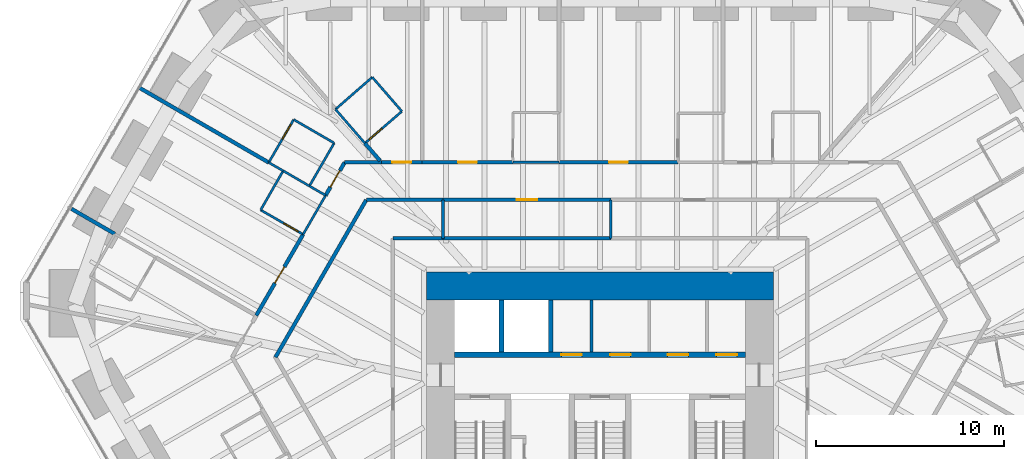
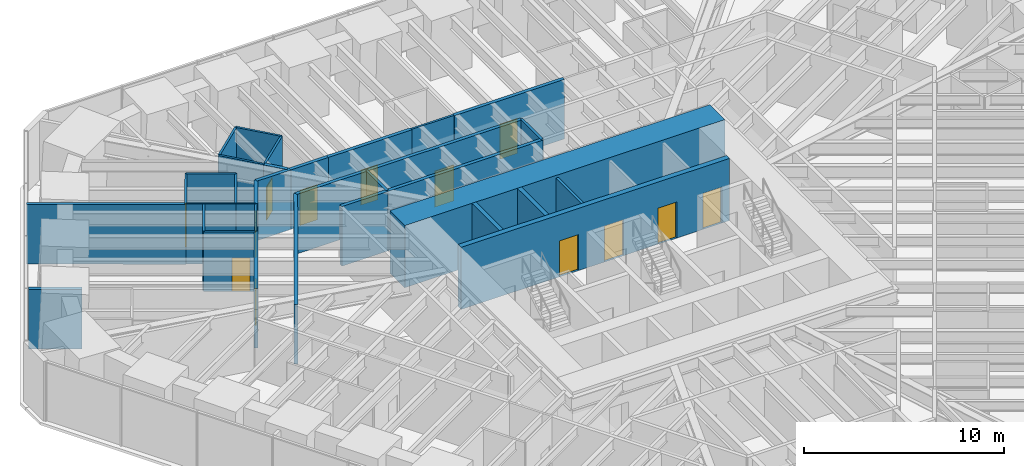
# One storey, part 14 of 17: 35 walls, 13 doors, 13 openings.
"""IFC4 building model written with IfcOpenShell, lengths in metres."""

from ifc_helpers import new_model, si_unit, direction, frame, frame_2d, origin, place, context, subcontext, project, spatial, rectangle, extrude, material, layer, layer_set, type_object, element, fill, save


model = new_model("IFC4")

# Units and contexts
model_context = context("Model", 3, precision=1e-05, world=origin(), true_north=direction((0.0, 1.0)))
body_context = subcontext(model_context, "Body", "Model", "MODEL_VIEW")
ifc_project = project(units=[si_unit("LENGTHUNIT", "METRE"), si_unit("AREAUNIT", "SQUARE_METRE"), si_unit("VOLUMEUNIT", "CUBIC_METRE"), si_unit("PLANEANGLEUNIT", "RADIAN"), si_unit("MASSUNIT", "GRAM", prefix="KILO")], contexts=[model_context])

# Site, building, storey
site_placement = place(None, origin())
site = spatial("IfcSite", under=ifc_project, at=site_placement, CompositionType="ELEMENT")
building_placement = place(site_placement, origin())
building = spatial("IfcBuilding", under=site, at=building_placement, Name="Sandreach Pilgrim Tower", CompositionType="ELEMENT")
storey_placement = place(building_placement, frame((0.0, 0.0, 68.60009765625)))
storey = spatial("IfcBuildingStorey", under=building, at=storey_placement, Name="L16", CompositionType="ELEMENT", Elevation=68.60009765625)

# Walls
ifc_material_1 = material(Name="Gypsum board on steel studs", Category="steel")
ifc_layer_1 = layer(ifc_material_1, 0.14990234375)
ifc_layer_set_1 = layer_set([ifc_layer_1], Name="Back of house wall 150")
wall_type_1 = type_object("IfcWallType", Name="Back of house wall 150", PredefinedType="PARTITIONING", material=ifc_layer_set_1)
for number, where, z_axis, x_axis, name in (
    (1, (-8.360107421875, 11.449951171875, 0.0), (0.0, 0.0, 1.0), (0.0, -1.0, 0.0), "Back of house wall L16-057"),
    (2, (0.580078125, 11.449951171875, 0.0), (0.0, 0.0, 1.0), (0.0, -1.0, 0.0), "Back of house wall L16-090"),
):
    element("IfcWall", number, at=place(storey_placement, frame(where, z_axis=z_axis, x_axis=x_axis)), inside=storey, type_object=wall_type_1, Name=name, PredefinedType="PARTITIONING", context=body_context, shape_type="SweptSolid", body=[
        extrude(rectangle(XDim=2.050048828125, YDim=0.14990234375, at=frame_2d((1.02490234375, 0.0))), origin(), (0.0, 0.0, 1.0), 3.639892578125),
    ])
wall_1_placement = place(storey_placement, frame((-0.449951171875, 3.35009765625, 0.0), z_axis=(0.0, 0.0, 1.0), x_axis=(0.0, 1.0, 0.0)))
element("IfcWall", 3, at=wall_1_placement, inside=storey, type_object=wall_type_1, Name="Core room partition L16 1", PredefinedType="PARTITIONING", context=body_context, shape_type="SweptSolid", body=[
    extrude(rectangle(XDim=2.75, YDim=0.14990234375, at=frame_2d((1.375, 0.0))), origin(), (0.0, 0.0, 1.0), 3.639892578125),
])

# Wall, opening, door
ifc_material_2 = material(Name="Moisture-resistant gypsum board on steel studs", Category="steel")
ifc_layer_2 = layer(ifc_material_2, 0.1201171875)
ifc_layer_set_2 = layer_set([ifc_layer_2], Name="Bathroom partition 120")
wall_type_2 = type_object("IfcWallType", Name="Bathroom partition 120", PredefinedType="PARTITIONING", material=ifc_layer_set_2)
wall_2_placement = place(storey_placement, frame((-18.090087890625, 10.909912109375, 0.0), z_axis=(0.0, 0.0, 1.0), x_axis=(0.866856728041, -0.498557331759, 0.0)))
wall_2 = element("IfcWall", 4, at=wall_2_placement, inside=storey, type_object=wall_type_2, Name="Bathroom partition L16-020", PredefinedType="PARTITIONING", context=body_context, shape_type="SweptSolid", body=[
    extrude(rectangle(XDim=2.607177734375, YDim=0.1201171875, at=frame_2d((1.3037109375, 0.0))), origin(), (0.0, 0.0, 1.0), 3.639892578125),
])
opening_1_placement = place(wall_2_placement, frame((1.4072265625, 0.0, 0.0)))
opening_1 = element("IfcOpeningElement", 5, at=opening_1_placement, cuts=wall_2, Name="Opening D09-19B", PredefinedType="OPENING", context=body_context, shape_type="SweptSolid", body=[
    extrude(rectangle(XDim=0.89990234375, YDim=2.030029296875, at=frame_2d((0.449951171875, 1.01513671875))), frame((0.0, 0.06005859375, 0.0), z_axis=(0.0, -1.0, 0.0), x_axis=(1.0, 0.0, 0.0)), (0.0, 0.0, 1.0), 0.1201171875),
])
ifc_material_3 = material(Name="Timber door, steel frame", Category="steel")
door_type_1 = type_object("IfcDoorType", Name="Bathroom door", OperationType="SINGLE_SWING_LEFT", PredefinedType="DOOR", material=ifc_material_3)
door_1_placement = place(opening_1_placement, origin())
door_1 = element("IfcDoor", 6, at=door_1_placement, inside=storey, type_object=door_type_1, Name="Door 1619B", OperationType="SINGLE_SWING_RIGHT", OverallHeight=2.030029296875, OverallWidth=0.89990234375, PredefinedType="DOOR", context=body_context, shape_type="SweptSolid", body=[
    extrude(rectangle(XDim=0.89990234375, YDim=2.030029296875, at=frame_2d((0.449951171875, 1.01513671875))), frame((0.0, 0.02490234375, 0.0), z_axis=(0.0, -1.0, 0.0), x_axis=(1.0, 0.0, 0.0)), (0.0, 0.0, 1.0), 0.050048828125),
])
fill(opening_1, door_1)

# Walls
wall_3_placement = place(storey_placement, frame((-17.659912109375, 13.43994140625, 0.0), z_axis=(0.0, 0.0, 1.0), x_axis=(0.86820924967, -0.49619824545, 0.0)))
element("IfcWall", 7, at=wall_3_placement, inside=storey, type_object=wall_type_2, Name="Bathroom partition L16-022", PredefinedType="PARTITIONING", context=body_context, shape_type="SweptSolid", body=[
    extrude(rectangle(XDim=0.88671875, YDim=0.1201171875, at=frame_2d((0.443359375, 0.0))), origin(), (0.0, 0.0, 1.0), 3.639892578125),
])
wall_4_placement = place(storey_placement, frame((-16.889892578125, 13.0, 0.0), z_axis=(0.0, 0.0, 1.0), x_axis=(-0.497970509195, -0.867193964446, 0.0)))
element("IfcWall", 8, at=wall_4_placement, inside=storey, type_object=wall_type_2, Name="Bathroom partition L16-024", PredefinedType="PARTITIONING", context=body_context, shape_type="SweptSolid", body=[
    extrude(rectangle(XDim=2.41015625, YDim=0.1201171875, at=frame_2d((1.205078125, 0.0))), origin(), (0.0, 0.0, 1.0), 3.639892578125),
])
wall_5_placement = place(storey_placement, frame((-16.889892578125, 13.0, 0.0), z_axis=(0.0, 0.0, 1.0), x_axis=(0.864822777425, -0.502077248685, 0.0)))
element("IfcWall", 9, at=wall_5_placement, inside=storey, type_object=wall_type_2, Name="Bathroom partition L16-025", PredefinedType="PARTITIONING", context=body_context, shape_type="SweptSolid", body=[
    extrude(rectangle(XDim=1.6171875, YDim=0.1201171875, at=frame_2d((0.80859375, 0.0))), origin(), (0.0, 0.0, 1.0), 3.639892578125),
])

# Wall, opening, door
wall_6_placement = place(storey_placement, frame((-16.330078125, 15.72998046875, 0.0), z_axis=(0.0, 0.0, 1.0), x_axis=(-0.502173326652, -0.864766991738, 0.0)))
wall_6 = element("IfcWall", 10, at=wall_6_placement, inside=storey, type_object=wall_type_2, Name="Bathroom partition L16-029", PredefinedType="PARTITIONING", context=body_context, shape_type="SweptSolid", body=[
    extrude(rectangle(XDim=2.648193359375, YDim=0.1201171875, at=frame_2d((1.32421875, 0.0))), origin(), (0.0, 0.0, 1.0), 3.639892578125),
])
opening_2_placement = place(wall_6_placement, frame((0.300048828125, 0.0, 0.0)))
opening_2 = element("IfcOpeningElement", 11, at=opening_2_placement, cuts=wall_6, Name="Opening D09-20B", PredefinedType="OPENING", context=body_context, shape_type="SweptSolid", body=[
    extrude(rectangle(XDim=0.89990234375, YDim=2.030029296875, at=frame_2d((0.449951171875, 1.01513671875))), frame((0.0, 0.06005859375, 0.0), z_axis=(0.0, -1.0, 0.0), x_axis=(1.0, 0.0, 0.0)), (0.0, 0.0, 1.0), 0.1201171875),
])
door_2_placement = place(opening_2_placement, origin())
door_2 = element("IfcDoor", 12, at=door_2_placement, inside=storey, type_object=door_type_1, Name="Door 1620B", OperationType="SINGLE_SWING_LEFT", OverallHeight=2.030029296875, OverallWidth=0.89990234375, PredefinedType="DOOR", context=body_context, shape_type="SweptSolid", body=[
    extrude(rectangle(XDim=0.89990234375, YDim=2.030029296875, at=frame_2d((0.449951171875, 1.01513671875))), frame((0.0, 0.02490234375, 0.0), z_axis=(0.0, -1.0, 0.0), x_axis=(1.0, 0.0, 0.0)), (0.0, 0.0, 1.0), 0.050048828125),
])
fill(opening_2, door_2)

# Walls
wall_7_placement = place(storey_placement, frame((-15.82666015625, 9.608154296875, 0.0), z_axis=(0.0, 0.0, 1.0), x_axis=(0.499737123639, 0.866177122335, 0.0)))
element("IfcWall", 13, at=wall_7_placement, inside=storey, type_object=wall_type_2, Name="Bathroom partition L16-030", PredefinedType="PARTITIONING", context=body_context, shape_type="SweptSolid", body=[
    extrude(rectangle(XDim=2.401123046875, YDim=0.1201171875, at=frame_2d((1.20068359375, 0.0))), origin(), (0.0, 0.0, 1.0), 3.639892578125),
])
wall_8_placement = place(storey_placement, frame((-15.4912109375, 12.18798828125, 0.0), z_axis=(0.0, 0.0, 1.0), x_axis=(0.865633452576, -0.500678265737, 0.0)))
element("IfcWall", 14, at=wall_8_placement, inside=storey, type_object=wall_type_2, Name="Bathroom partition L16-031", PredefinedType="PARTITIONING", context=body_context, shape_type="SweptSolid", body=[
    extrude(rectangle(XDim=0.99462890625, YDim=0.1201171875, at=frame_2d((0.497314453125, 0.0))), origin(), (0.0, 0.0, 1.0), 3.639892578125),
])
wall_9_placement = place(storey_placement, frame((-15.489990234375, 12.18994140625, 0.0), z_axis=(0.0, 0.0, 1.0), x_axis=(0.499407914056, 0.866366975004, 0.0)))
element("IfcWall", 15, at=wall_9_placement, inside=storey, type_object=wall_type_2, Name="Bathroom partition L16-032", PredefinedType="PARTITIONING", context=body_context, shape_type="SweptSolid", body=[
    extrude(rectangle(XDim=2.643310546875, YDim=0.1201171875, at=frame_2d((1.32177734375, 0.0))), origin(), (0.0, 0.0, 1.0), 3.639892578125),
])
wall_10_placement = place(storey_placement, frame((-14.169921875, 14.47998046875, 0.0), z_axis=(0.0, 0.0, 1.0), x_axis=(-0.865533423938, 0.500851167559, 0.0)))
element("IfcWall", 16, at=wall_10_placement, inside=storey, type_object=wall_type_2, Name="Bathroom partition L16-038", PredefinedType="PARTITIONING", context=body_context, shape_type="SweptSolid", body=[
    extrude(rectangle(XDim=2.495849609375, YDim=0.1201171875, at=frame_2d((1.248046875, 0.0))), origin(), (0.0, 0.0, 1.0), 3.639892578125),
])
wall_11_placement = place(storey_placement, frame((-14.101318359375, 16.27880859375, 0.0), z_axis=(0.0, 0.0, 1.0), x_axis=(0.654868469202, -0.755742871647, 0.0)))
element("IfcWall", 17, at=wall_11_placement, inside=storey, type_object=wall_type_2, Name="Bathroom partition L16-039", PredefinedType="PARTITIONING", context=body_context, shape_type="SweptSolid", body=[
    extrude(rectangle(XDim=2.39599609375, YDim=0.1201171875, at=frame_2d((1.197998046875, 0.0))), origin(), (0.0, 0.0, 1.0), 3.639892578125),
])

# Wall, opening, door
wall_12_placement = place(storey_placement, frame((-12.530029296875, 14.469970703125, 0.0), z_axis=(0.0, 0.0, 1.0), x_axis=(0.757086659925, 0.653314464377, 0.0)))
wall_12 = element("IfcWall", 18, at=wall_12_placement, inside=storey, type_object=wall_type_2, Name="Bathroom partition L16-042", PredefinedType="PARTITIONING", context=body_context, shape_type="SweptSolid", body=[
    extrude(rectangle(XDim=2.60205078125, YDim=0.1201171875, at=frame_2d((1.301025390625, 0.0))), origin(), (0.0, 0.0, 1.0), 3.639892578125),
])
opening_3_placement = place(wall_12_placement, frame((0.300048828125, 0.0, 0.0)))
opening_3 = element("IfcOpeningElement", 19, at=opening_3_placement, cuts=wall_12, Name="Opening D09-01B", PredefinedType="OPENING", context=body_context, shape_type="SweptSolid", body=[
    extrude(rectangle(XDim=0.89990234375, YDim=2.030029296875, at=frame_2d((0.449951171875, 1.01513671875))), frame((0.0, 0.06005859375, 0.0), z_axis=(0.0, -1.0, 0.0), x_axis=(1.0, 0.0, 0.0)), (0.0, 0.0, 1.0), 0.1201171875),
])
door_3_placement = place(opening_3_placement, origin())
door_3 = element("IfcDoor", 20, at=door_3_placement, inside=storey, type_object=door_type_1, Name="Door 1601B", OperationType="SINGLE_SWING_LEFT", OverallHeight=2.030029296875, OverallWidth=0.89990234375, PredefinedType="DOOR", context=body_context, shape_type="SweptSolid", body=[
    extrude(rectangle(XDim=0.89990234375, YDim=2.030029296875, at=frame_2d((0.449951171875, 1.01513671875))), frame((0.0, 0.02490234375, 0.0), z_axis=(0.0, -1.0, 0.0), x_axis=(1.0, 0.0, 0.0)), (0.0, 0.0, 1.0), 0.050048828125),
])
fill(opening_3, door_3)

# Walls
wall_13_placement = place(storey_placement, frame((-12.139892578125, 17.989990234375, 0.0), z_axis=(0.0, 0.0, 1.0), x_axis=(-0.753570046386, -0.657367617996, 0.0)))
element("IfcWall", 21, at=wall_13_placement, inside=storey, type_object=wall_type_2, Name="Bathroom partition L16-045", PredefinedType="PARTITIONING", context=body_context, shape_type="SweptSolid", body=[
    extrude(rectangle(XDim=2.601318359375, YDim=0.1201171875, at=frame_2d((1.30078125, 0.0))), origin(), (0.0, 0.0, 1.0), 3.639892578125),
])
wall_14_placement = place(storey_placement, frame((-10.56005859375, 16.169921875, 0.0), z_axis=(0.0, 0.0, 1.0), x_axis=(-0.65550883331, 0.755187506155, 0.0)))
element("IfcWall", 22, at=wall_14_placement, inside=storey, type_object=wall_type_2, Name="Bathroom partition L16-050", PredefinedType="PARTITIONING", context=body_context, shape_type="SweptSolid", body=[
    extrude(rectangle(XDim=2.41015625, YDim=0.1201171875, at=frame_2d((1.205078125, 0.0))), origin(), (0.0, 0.0, 1.0), 3.639892578125),
])
wall_15_placement = place(storey_placement, frame((-2.18994140625, 13.449951171875, 0.0), z_axis=(0.0, 0.0, 1.0), x_axis=(-1.0, 0.0, 0.0)))
element("IfcWall", 23, at=wall_15_placement, inside=storey, type_object=wall_type_2, Name="Bathroom partition L16-079", PredefinedType="PARTITIONING", context=body_context, shape_type="SweptSolid", body=[
    extrude(rectangle(XDim=2.449951171875, YDim=0.1201171875, at=frame_2d((1.22509765625, 0.0))), origin(), (0.0, 0.0, 1.0), 3.639892578125),
])

# Wall, openings, doors
ifc_material_4 = material(Name="Concrete 10000 psi", Category="concrete")
ifc_layer_3 = layer(ifc_material_4, 0.300048828125)
ifc_layer_set_3 = layer_set([ifc_layer_3], Name="Core inner wall 300")
wall_type_3 = type_object("IfcWallType", Name="Core inner wall 300", PredefinedType="SHEAR", material=ifc_layer_set_3)
wall_16_placement = place(storey_placement, frame((-7.75, 3.199951171875, 0.0), z_axis=(0.0, 0.0, 1.0), x_axis=(1.0, 0.0, 0.0)))
wall_16 = element("IfcWall", 24, at=wall_16_placement, inside=storey, type_object=wall_type_3, Name="Core wall PN L16", PredefinedType="SHEAR", context=body_context, shape_type="SweptSolid", body=[
    extrude(rectangle(XDim=15.5, YDim=0.300048828125, at=frame_2d((7.75, 0.0))), origin(), (0.0, 0.0, 1.0), 3.7998046875),
])
opening_4_placement = place(wall_16_placement, frame((5.6875, 0.0, 0.0)))
opening_4 = element("IfcOpeningElement", 25, at=opening_4_placement, cuts=wall_16, Name="Opening D11L", PredefinedType="OPENING", context=body_context, shape_type="SweptSolid", body=[
    extrude(rectangle(XDim=1.10009765625, YDim=2.199951171875, at=frame_2d((0.550048828125, 1.10009765625))), frame((0.0, 0.14990234375, 0.0), z_axis=(0.0, -1.0, 0.0), x_axis=(1.0, 0.0, 0.0)), (0.0, 0.0, 1.0), 0.300048828125),
])
opening_5_placement = place(wall_16_placement, frame((8.28759765625, 0.0, 0.0)))
opening_5 = element("IfcOpeningElement", 26, at=opening_5_placement, cuts=wall_16, Name="Opening D11L", PredefinedType="OPENING", context=body_context, shape_type="SweptSolid", body=[
    extrude(rectangle(XDim=1.10009765625, YDim=2.199951171875, at=frame_2d((0.550048828125, 1.10009765625))), frame((0.0, 0.14990234375, 0.0), z_axis=(0.0, -1.0, 0.0), x_axis=(1.0, 0.0, 0.0)), (0.0, 0.0, 1.0), 0.300048828125),
])
opening_6_placement = place(wall_16_placement, frame((11.362548828125, 0.0, 0.0)))
opening_6 = element("IfcOpeningElement", 27, at=opening_6_placement, cuts=wall_16, Name="Opening D11L", PredefinedType="OPENING", context=body_context, shape_type="SweptSolid", body=[
    extrude(rectangle(XDim=1.10009765625, YDim=2.199951171875, at=frame_2d((0.550048828125, 1.10009765625))), frame((0.0, 0.14990234375, 0.0), z_axis=(0.0, -1.0, 0.0), x_axis=(1.0, 0.0, 0.0)), (0.0, 0.0, 1.0), 0.300048828125),
])
opening_7_placement = place(wall_16_placement, frame((13.96240234375, 0.0, 0.0)))
opening_7 = element("IfcOpeningElement", 28, at=opening_7_placement, cuts=wall_16, Name="Opening D11L", PredefinedType="OPENING", context=body_context, shape_type="SweptSolid", body=[
    extrude(rectangle(XDim=1.10009765625, YDim=2.199951171875, at=frame_2d((0.550048828125, 1.10009765625))), frame((0.0, 0.14990234375, 0.0), z_axis=(0.0, -1.0, 0.0), x_axis=(1.0, 0.0, 0.0)), (0.0, 0.0, 1.0), 0.300048828125),
])
ifc_material_5 = material(Name="Steel door and frame, smoke seals", Category="steel")
door_type_2 = type_object("IfcDoorType", Name="Core room door", OperationType="SINGLE_SWING_LEFT", PredefinedType="DOOR", material=ifc_material_5)
door_4_placement = place(opening_4_placement, origin())
door_4 = element("IfcDoor", 29, at=door_4_placement, inside=storey, type_object=door_type_2, Name="Door linen and housekeeping store 16K1", OperationType="SINGLE_SWING_LEFT", OverallHeight=2.199951171875, OverallWidth=1.10009765625, PredefinedType="DOOR", context=body_context, shape_type="SweptSolid", body=[
    extrude(rectangle(XDim=1.10009765625, YDim=2.199951171875, at=frame_2d((0.550048828125, 1.10009765625))), frame((0.0, 0.02490234375, 0.0), z_axis=(0.0, -1.0, 0.0), x_axis=(1.0, 0.0, 0.0)), (0.0, 0.0, 1.0), 0.050048828125),
])
fill(opening_4, door_4)
door_5_placement = place(opening_5_placement, origin())
door_5 = element("IfcDoor", 30, at=door_5_placement, inside=storey, type_object=door_type_2, Name="Door cleaners store 16K2", OperationType="SINGLE_SWING_RIGHT", OverallHeight=2.199951171875, OverallWidth=1.10009765625, PredefinedType="DOOR", context=body_context, shape_type="SweptSolid", body=[
    extrude(rectangle(XDim=1.10009765625, YDim=2.199951171875, at=frame_2d((0.550048828125, 1.10009765625))), frame((0.0, 0.02490234375, 0.0), z_axis=(0.0, -1.0, 0.0), x_axis=(1.0, 0.0, 0.0)), (0.0, 0.0, 1.0), 0.050048828125),
])
fill(opening_5, door_5)
door_6_placement = place(opening_6_placement, origin())
door_6 = element("IfcDoor", 31, at=door_6_placement, inside=storey, type_object=door_type_2, Name="Door storage room 16K3", OperationType="SINGLE_SWING_RIGHT", OverallHeight=2.199951171875, OverallWidth=1.10009765625, PredefinedType="DOOR", context=body_context, shape_type="SweptSolid", body=[
    extrude(rectangle(XDim=1.10009765625, YDim=2.199951171875, at=frame_2d((0.550048828125, 1.10009765625))), frame((0.0, 0.02490234375, 0.0), z_axis=(0.0, -1.0, 0.0), x_axis=(1.0, 0.0, 0.0)), (0.0, 0.0, 1.0), 0.050048828125),
])
fill(opening_6, door_6)
door_7_placement = place(opening_7_placement, origin())
door_7 = element("IfcDoor", 32, at=door_7_placement, inside=storey, type_object=door_type_2, Name="Door refuse room 16K4", OperationType="SINGLE_SWING_RIGHT", OverallHeight=2.199951171875, OverallWidth=1.10009765625, PredefinedType="DOOR", context=body_context, shape_type="SweptSolid", body=[
    extrude(rectangle(XDim=1.10009765625, YDim=2.199951171875, at=frame_2d((0.550048828125, 1.10009765625))), frame((0.0, 0.02490234375, 0.0), z_axis=(0.0, -1.0, 0.0), x_axis=(1.0, 0.0, 0.0)), (0.0, 0.0, 1.0), 0.050048828125),
])
fill(opening_7, door_7)

# Wall
ifc_material_6 = material(Name="Concrete 10000 psi", Category="concrete")
ifc_layer_4 = layer(ifc_material_6, 1.5)
ifc_layer_set_4 = layer_set([ifc_layer_4], Name="Core wall 1500")
wall_type_4 = type_object("IfcWallType", Name="Core wall 1500", PredefinedType="SHEAR", material=ifc_layer_set_4)
wall_17_placement = place(storey_placement, frame((-9.25, 6.85009765625, 0.0), z_axis=(0.0, 0.0, 1.0), x_axis=(1.0, 0.0, 0.0)))
element("IfcWall", 33, at=wall_17_placement, inside=storey, type_object=wall_type_4, Name="Core wall N L16", PredefinedType="SHEAR", context=body_context, shape_type="SweptSolid", body=[
    extrude(rectangle(XDim=18.5, YDim=1.5, at=frame_2d((9.25, 0.0))), origin(), (0.0, 0.0, 1.0), 3.7998046875),
])

# Wall, opening, door
ifc_material_7 = material(Name="Gypsum board on steel studs, two layers each side", Category="steel")
ifc_layer_5 = layer(ifc_material_7, 0.199951171875)
ifc_layer_set_5 = layer_set([ifc_layer_5], Name="Corridor wall 200")
wall_type_5 = type_object("IfcWallType", Name="Corridor wall 200", PredefinedType="PARTITIONING", material=ifc_layer_set_5)
wall_18_placement = place(storey_placement, frame((-18.330078125, 5.280029296875, 0.0), z_axis=(0.0, 0.0, 1.0), x_axis=(0.500685921526, 0.865629024459, 0.0)))
wall_18 = element("IfcWall", 34, at=wall_18_placement, inside=storey, type_object=wall_type_5, Name="Corridor wall L16-017", PredefinedType="PARTITIONING", context=body_context, shape_type="SweptSolid", body=[
    extrude(rectangle(XDim=5.0, YDim=0.199951171875, at=frame_2d((2.5, 0.0))), origin(), (0.0, 0.0, 1.0), 3.639892578125),
])
opening_8_placement = place(wall_18_placement, frame((2.0, 0.0, 0.0)))
opening_8 = element("IfcOpeningElement", 35, at=opening_8_placement, cuts=wall_18, Name="Opening D10-19", PredefinedType="OPENING", context=body_context, shape_type="SweptSolid", body=[
    extrude(rectangle(XDim=1.0, YDim=2.1298828125, at=frame_2d((0.5, 1.06494140625))), frame((0.0, 0.10009765625, 0.0), z_axis=(0.0, -1.0, 0.0), x_axis=(1.0, 0.0, 0.0)), (0.0, 0.0, 1.0), 0.199951171875),
])
ifc_material_8 = material(Name="Steel door and frame", Category="steel")
door_type_3 = type_object("IfcDoorType", Name="Guest room entry door", OperationType="SINGLE_SWING_LEFT", PredefinedType="DOOR", material=ifc_material_8)
door_8_placement = place(opening_8_placement, origin())
door_8 = element("IfcDoor", 36, at=door_8_placement, inside=storey, type_object=door_type_3, Name="Door 1619", OperationType="SINGLE_SWING_LEFT", OverallHeight=2.1298828125, OverallWidth=1.0, PredefinedType="DOOR", context=body_context, shape_type="SweptSolid", body=[
    extrude(rectangle(XDim=1.0, YDim=2.1298828125, at=frame_2d((0.5, 1.06494140625))), frame((0.0, 0.02490234375, 0.0), z_axis=(0.0, -1.0, 0.0), x_axis=(1.0, 0.0, 0.0)), (0.0, 0.0, 1.0), 0.050048828125),
])
fill(opening_8, door_8)

# Wall
wall_19_placement = place(storey_placement, frame((-17.300048828125, 3.06005859375, 0.0), z_axis=(0.0, 0.0, 1.0), x_axis=(0.499704269421, 0.866196076603, 0.0)))
element("IfcWall", 37, at=wall_19_placement, inside=storey, type_object=wall_type_5, Name="Corridor wall L16-023", PredefinedType="PARTITIONING", context=body_context, shape_type="SweptSolid", body=[
    extrude(rectangle(XDim=9.685791015625, YDim=0.199951171875, at=frame_2d((4.8427734375, 0.0))), origin(), (0.0, 0.0, 1.0), 3.639892578125),
])

# Wall, opening, door
wall_20_placement = place(storey_placement, frame((-14.626708984375, 11.68798828125, 0.0), z_axis=(0.0, 0.0, 1.0), x_axis=(0.49975362313, 0.866167602816, 0.0)))
wall_20 = element("IfcWall", 38, at=wall_20_placement, inside=storey, type_object=wall_type_5, Name="Corridor wall L16-035", PredefinedType="PARTITIONING", context=body_context, shape_type="SweptSolid", body=[
    extrude(rectangle(XDim=2.0341796875, YDim=0.199951171875, at=frame_2d((1.01708984375, 0.0))), origin(), (0.0, 0.0, 1.0), 3.639892578125),
])
opening_9_placement = place(wall_20_placement, frame((0.51708984375, 0.0, 0.0)))
opening_9 = element("IfcOpeningElement", 39, at=opening_9_placement, cuts=wall_20, Name="Opening D10-20", PredefinedType="OPENING", context=body_context, shape_type="SweptSolid", body=[
    extrude(rectangle(XDim=1.0, YDim=2.1298828125, at=frame_2d((0.5, 1.06494140625))), frame((0.0, 0.10009765625, 0.0), z_axis=(0.0, -1.0, 0.0), x_axis=(1.0, 0.0, 0.0)), (0.0, 0.0, 1.0), 0.199951171875),
])
door_9_placement = place(opening_9_placement, origin())
door_9 = element("IfcDoor", 40, at=door_9_placement, inside=storey, type_object=door_type_3, Name="Door 1620", OperationType="SINGLE_SWING_LEFT", OverallHeight=2.1298828125, OverallWidth=1.0, PredefinedType="DOOR", context=body_context, shape_type="SweptSolid", body=[
    extrude(rectangle(XDim=1.0, YDim=2.1298828125, at=frame_2d((0.5, 1.06494140625))), frame((0.0, 0.02490234375, 0.0), z_axis=(0.0, -1.0, 0.0), x_axis=(1.0, 0.0, 0.0)), (0.0, 0.0, 1.0), 0.050048828125),
])
fill(opening_9, door_9)

# Walls
wall_21_placement = place(storey_placement, frame((-12.4599609375, 11.449951171875, 0.0), z_axis=(0.0, 0.0, 1.0), x_axis=(1.0, 0.0, 0.0)))
element("IfcWall", 41, at=wall_21_placement, inside=storey, type_object=wall_type_5, Name="Corridor wall L16-043", PredefinedType="PARTITIONING", context=body_context, shape_type="SweptSolid", body=[
    extrude(rectangle(XDim=4.099853515625, YDim=0.199951171875, at=frame_2d((2.0498046875, 0.0))), origin(), (0.0, 0.0, 1.0), 3.639892578125),
])
wall_22_placement = place(storey_placement, frame((-11.64990234375, 13.449951171875, 0.0), z_axis=(0.0, 0.0, 1.0), x_axis=(-1.0, 0.0, 0.0)))
element("IfcWall", 42, at=wall_22_placement, inside=storey, type_object=wall_type_5, Name="Corridor wall L16-046", PredefinedType="PARTITIONING", context=body_context, shape_type="SweptSolid", body=[
    extrude(rectangle(XDim=1.960205078125, YDim=0.199951171875, at=frame_2d((0.97998046875, 0.0))), origin(), (0.0, 0.0, 1.0), 3.639892578125),
])

# Wall, opening, door
wall_23_placement = place(storey_placement, frame((-9.47998046875, 13.449951171875, 0.0), z_axis=(0.0, 0.0, 1.0), x_axis=(-1.0, 0.0, 0.0)))
wall_23 = element("IfcWall", 43, at=wall_23_placement, inside=storey, type_object=wall_type_5, Name="Corridor wall L16-054", PredefinedType="PARTITIONING", context=body_context, shape_type="SweptSolid", body=[
    extrude(rectangle(XDim=2.169921875, YDim=0.199951171875, at=frame_2d((1.0849609375, 0.0))), origin(), (0.0, 0.0, 1.0), 3.639892578125),
])
opening_10_placement = place(wall_23_placement, frame((0.5849609375, 0.0, 0.0)))
opening_10 = element("IfcOpeningElement", 44, at=opening_10_placement, cuts=wall_23, Name="Opening D10-01", PredefinedType="OPENING", context=body_context, shape_type="SweptSolid", body=[
    extrude(rectangle(XDim=1.0, YDim=2.1298828125, at=frame_2d((0.5, 1.06494140625))), frame((0.0, 0.10009765625, 0.0), z_axis=(0.0, -1.0, 0.0), x_axis=(1.0, 0.0, 0.0)), (0.0, 0.0, 1.0), 0.199951171875),
])
door_10_placement = place(opening_10_placement, origin())
door_10 = element("IfcDoor", 45, at=door_10_placement, inside=storey, type_object=door_type_3, Name="Door 1601", OperationType="SINGLE_SWING_LEFT", OverallHeight=2.1298828125, OverallWidth=1.0, PredefinedType="DOOR", context=body_context, shape_type="SweptSolid", body=[
    extrude(rectangle(XDim=1.0, YDim=2.1298828125, at=frame_2d((0.5, 1.06494140625))), frame((0.0, 0.02490234375, 0.0), z_axis=(0.0, -1.0, 0.0), x_axis=(1.0, 0.0, 0.0)), (0.0, 0.0, 1.0), 0.050048828125),
])
fill(opening_10, door_10)

# Wall
wall_24_placement = place(storey_placement, frame((-8.360107421875, 9.39990234375, 0.0), z_axis=(0.0, 0.0, 1.0), x_axis=(-1.0, 0.0, 0.0)))
element("IfcWall", 46, at=wall_24_placement, inside=storey, type_object=wall_type_5, Name="Corridor wall L16-056", PredefinedType="PARTITIONING", context=body_context, shape_type="SweptSolid", body=[
    extrude(rectangle(XDim=2.679931640625, YDim=0.199951171875, at=frame_2d((1.33984375, 0.0))), origin(), (0.0, 0.0, 1.0), 3.639892578125),
])

# Wall, opening, door
wall_25_placement = place(storey_placement, frame((-8.360107421875, 11.449951171875, 0.0), z_axis=(0.0, 0.0, 1.0), x_axis=(1.0, 0.0, 0.0)))
wall_25 = element("IfcWall", 47, at=wall_25_placement, inside=storey, type_object=wall_type_5, Name="Corridor wall L16-058", PredefinedType="PARTITIONING", context=body_context, shape_type="SweptSolid", body=[
    extrude(rectangle(XDim=8.940185546875, YDim=0.199951171875, at=frame_2d((4.47021484375, 0.0))), origin(), (0.0, 0.0, 1.0), 3.639892578125),
])
opening_11_placement = place(wall_25_placement, frame((3.919921875, 0.0, 0.0)))
opening_11 = element("IfcOpeningElement", 48, at=opening_11_placement, cuts=wall_25, Name="Opening D11H-M02", PredefinedType="OPENING", context=body_context, shape_type="SweptSolid", body=[
    extrude(rectangle(XDim=1.10009765625, YDim=2.199951171875, at=frame_2d((0.550048828125, 1.10009765625))), frame((0.0, 0.10009765625, 0.0), z_axis=(0.0, -1.0, 0.0), x_axis=(1.0, 0.0, 0.0)), (0.0, 0.0, 1.0), 0.199951171875),
])
ifc_material_9 = material(Name="Steel door and frame", Category="steel")
door_type_4 = type_object("IfcDoorType", Name="Back of house door", OperationType="SINGLE_SWING_LEFT", PredefinedType="DOOR", material=ifc_material_9)
door_11_placement = place(opening_11_placement, origin())
door_11 = element("IfcDoor", 49, at=door_11_placement, inside=storey, type_object=door_type_4, Name="Door 16M02", OperationType="SINGLE_SWING_LEFT", OverallHeight=2.199951171875, OverallWidth=1.10009765625, PredefinedType="DOOR", context=body_context, shape_type="SweptSolid", body=[
    extrude(rectangle(XDim=1.10009765625, YDim=2.199951171875, at=frame_2d((0.550048828125, 1.10009765625))), frame((0.0, 0.02490234375, 0.0), z_axis=(0.0, -1.0, 0.0), x_axis=(1.0, 0.0, 0.0)), (0.0, 0.0, 1.0), 0.050048828125),
])
fill(opening_11, door_11)

wall_26_placement = place(storey_placement, frame((-4.639892578125, 13.449951171875, 0.0), z_axis=(0.0, 0.0, 1.0), x_axis=(-1.0, 0.0, 0.0)))
wall_26 = element("IfcWall", 50, at=wall_26_placement, inside=storey, type_object=wall_type_5, Name="Corridor wall L16-067", PredefinedType="PARTITIONING", context=body_context, shape_type="SweptSolid", body=[
    extrude(rectangle(XDim=4.840087890625, YDim=0.199951171875, at=frame_2d((2.419921875, 0.0))), origin(), (0.0, 0.0, 1.0), 3.639892578125),
])
opening_12_placement = place(wall_26_placement, frame((1.919921875, 0.0, 0.0)))
opening_12 = element("IfcOpeningElement", 51, at=opening_12_placement, cuts=wall_26, Name="Opening D10-02", PredefinedType="OPENING", context=body_context, shape_type="SweptSolid", body=[
    extrude(rectangle(XDim=1.0, YDim=2.1298828125, at=frame_2d((0.5, 1.06494140625))), frame((0.0, 0.10009765625, 0.0), z_axis=(0.0, -1.0, 0.0), x_axis=(1.0, 0.0, 0.0)), (0.0, 0.0, 1.0), 0.199951171875),
])
door_12_placement = place(opening_12_placement, origin())
door_12 = element("IfcDoor", 52, at=door_12_placement, inside=storey, type_object=door_type_3, Name="Door 1602", OperationType="SINGLE_SWING_LEFT", OverallHeight=2.1298828125, OverallWidth=1.0, PredefinedType="DOOR", context=body_context, shape_type="SweptSolid", body=[
    extrude(rectangle(XDim=1.0, YDim=2.1298828125, at=frame_2d((0.5, 1.06494140625))), frame((0.0, 0.02490234375, 0.0), z_axis=(0.0, -1.0, 0.0), x_axis=(1.0, 0.0, 0.0)), (0.0, 0.0, 1.0), 0.050048828125),
])
fill(opening_12, door_12)

# Wall
wall_27_placement = place(storey_placement, frame((0.580078125, 9.39990234375, 0.0), z_axis=(0.0, 0.0, 1.0), x_axis=(-1.0, 0.0, 0.0)))
element("IfcWall", 53, at=wall_27_placement, inside=storey, type_object=wall_type_5, Name="Corridor wall L16-089", PredefinedType="PARTITIONING", context=body_context, shape_type="SweptSolid", body=[
    extrude(rectangle(XDim=8.940185546875, YDim=0.199951171875, at=frame_2d((4.47021484375, 0.0))), origin(), (0.0, 0.0, 1.0), 3.639892578125),
])

# Wall, opening, door
wall_28_placement = place(storey_placement, frame((4.159912109375, 13.449951171875, 0.0), z_axis=(0.0, 0.0, 1.0), x_axis=(-1.0, 0.0, 0.0)))
wall_28 = element("IfcWall", 54, at=wall_28_placement, inside=storey, type_object=wall_type_5, Name="Corridor wall L16-095", PredefinedType="PARTITIONING", context=body_context, shape_type="SweptSolid", body=[
    extrude(rectangle(XDim=6.349853515625, YDim=0.199951171875, at=frame_2d((3.1748046875, 0.0))), origin(), (0.0, 0.0, 1.0), 3.639892578125),
])
opening_13_placement = place(wall_28_placement, frame((2.675048828125, 0.0, 0.0)))
opening_13 = element("IfcOpeningElement", 55, at=opening_13_placement, cuts=wall_28, Name="Opening D10-03", PredefinedType="OPENING", context=body_context, shape_type="SweptSolid", body=[
    extrude(rectangle(XDim=1.0, YDim=2.1298828125, at=frame_2d((0.5, 1.06494140625))), frame((0.0, 0.10009765625, 0.0), z_axis=(0.0, -1.0, 0.0), x_axis=(1.0, 0.0, 0.0)), (0.0, 0.0, 1.0), 0.199951171875),
])
door_13_placement = place(opening_13_placement, origin())
door_13 = element("IfcDoor", 56, at=door_13_placement, inside=storey, type_object=door_type_3, Name="Door 1603", OperationType="SINGLE_SWING_LEFT", OverallHeight=2.1298828125, OverallWidth=1.0, PredefinedType="DOOR", context=body_context, shape_type="SweptSolid", body=[
    extrude(rectangle(XDim=1.0, YDim=2.1298828125, at=frame_2d((0.5, 1.06494140625))), frame((0.0, 0.02490234375, 0.0), z_axis=(0.0, -1.0, 0.0), x_axis=(1.0, 0.0, 0.0)), (0.0, 0.0, 1.0), 0.050048828125),
])
fill(opening_13, door_13)

# Walls
ifc_material_10 = material(Name="Double steel stud acoustic wall, gypsum board", Category="steel")
ifc_layer_6 = layer(ifc_material_10, 0.199951171875)
ifc_layer_set_6 = layer_set([ifc_layer_6], Name="Party wall 200")
wall_type_6 = type_object("IfcWallType", Name="Party wall 200", PredefinedType="PARTITIONING", material=ifc_layer_set_6)
wall_29_placement = place(storey_placement, frame((-28.176025390625, 10.969970703125, 0.0), z_axis=(0.0, 0.0, 1.0), x_axis=(0.865563676017, -0.500798884543, 0.0)))
element("IfcWall", 57, at=wall_29_placement, inside=storey, type_object=wall_type_6, Name="Party wall L16-002", PredefinedType="PARTITIONING", context=body_context, shape_type="SweptSolid", body=[
    extrude(rectangle(XDim=2.67578125, YDim=0.199951171875, at=frame_2d((1.337890625, 0.0))), origin(), (0.0, 0.0, 1.0), 3.639892578125),
])
wall_30_placement = place(storey_placement, frame((-24.553955078125, 17.425048828125, 0.0), z_axis=(0.0, 0.0, 1.0), x_axis=(0.865762644918, -0.500454835789, 0.0)))
element("IfcWall", 58, at=wall_30_placement, inside=storey, type_object=wall_type_6, Name="Party wall L16-007", PredefinedType="PARTITIONING", context=body_context, shape_type="SweptSolid", body=[
    extrude(rectangle(XDim=7.962890625, YDim=0.199951171875, at=frame_2d((3.9814453125, 0.0))), origin(), (0.0, 0.0, 1.0), 3.639892578125),
])
wall_31_placement = place(storey_placement, frame((-12.5322265625, 14.468017578125, 0.0), z_axis=(0.0, 0.0, 1.0), x_axis=(0.654877937884, -0.755734666714, 0.0)))
element("IfcWall", 59, at=wall_31_placement, inside=storey, type_object=wall_type_6, Name="Party wall L16-041", PredefinedType="PARTITIONING", context=body_context, shape_type="SweptSolid", body=[
    extrude(rectangle(XDim=1.237060546875, YDim=0.199951171875, at=frame_2d((0.61865234375, 0.0))), origin(), (0.0, 0.0, 1.0), 3.639892578125),
])
ifc_material_11 = material(Name="Gypsum shaft wall on steel studs, two layers of shaft liner board", Category="steel")
ifc_layer_7 = layer(ifc_material_11, 0.25)
ifc_layer_set_7 = layer_set([ifc_layer_7], Name="Shaft partition 250")
wall_type_7 = type_object("IfcWallType", Name="Shaft partition 250", PredefinedType="PARTITIONING", material=ifc_layer_set_7)
for number, where, z_axis, x_axis, name in (
    (60, (-5.25, 3.35009765625, 0.0), (0.0, 0.0, 1.0), (0.0, 1.0, 0.0), "Shaft partition NS0 L16"),
    (61, (-2.625, 3.35009765625, 0.0), (0.0, 0.0, 1.0), (0.0, 1.0, 0.0), "Shaft partition NS1 L16"),
):
    element("IfcWall", number, at=place(storey_placement, frame(where, z_axis=z_axis, x_axis=x_axis)), inside=storey, type_object=wall_type_7, Name=name, PredefinedType="PARTITIONING", context=body_context, shape_type="SweptSolid", body=[
        extrude(rectangle(XDim=2.75, YDim=0.25, at=frame_2d((1.375, 0.0))), origin(), (0.0, 0.0, 1.0), 3.7998046875),
    ])

save(model, "model.ifc")
